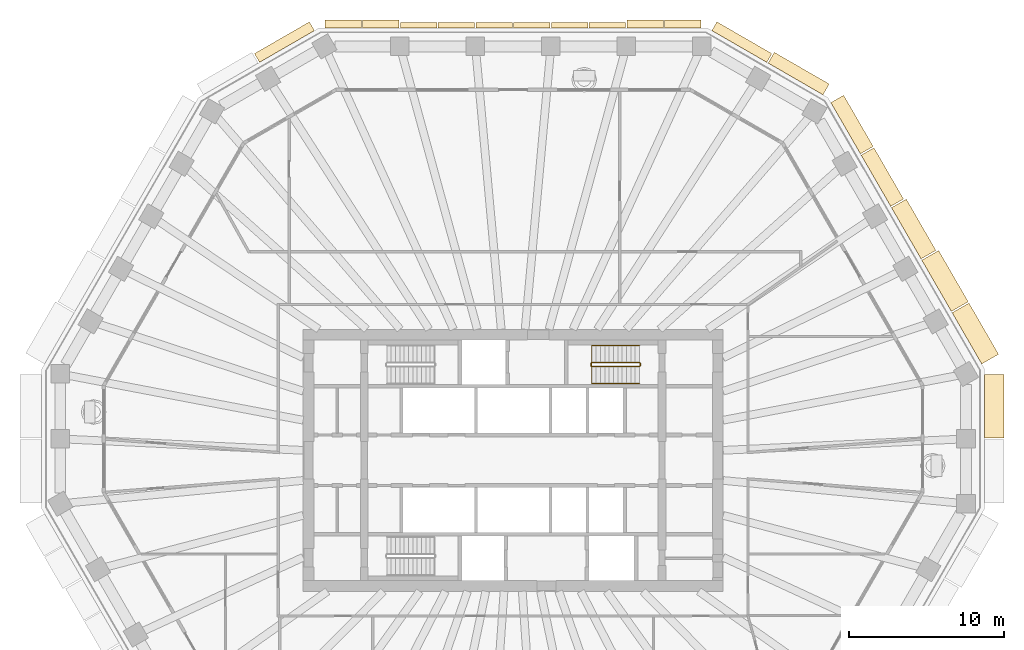
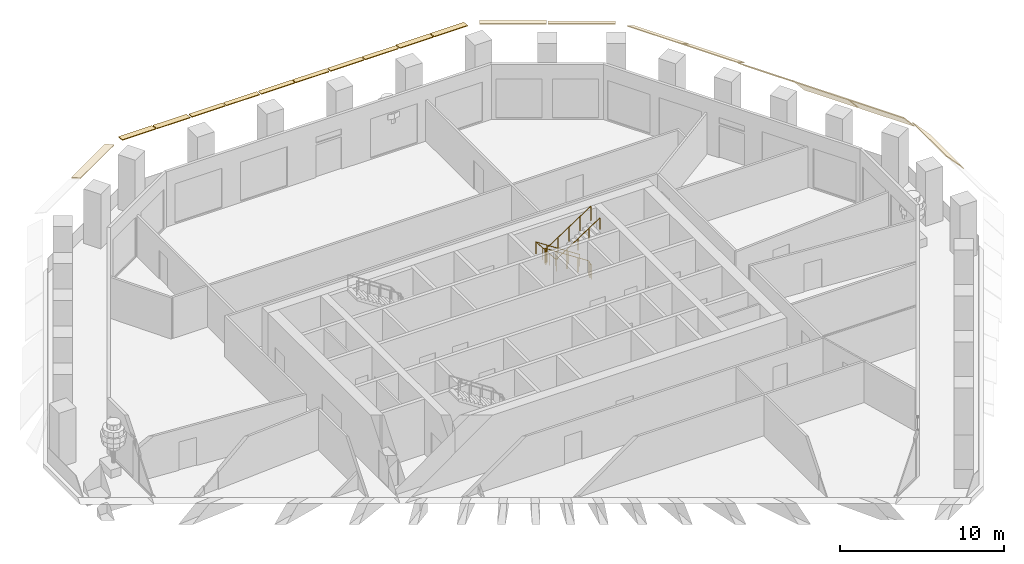
# One storey, part 10 of 12: 19 coverings, 2 railings.
"""IFC4 building model written with IfcOpenShell, lengths in metres."""

import ifcopenshell
import ifcopenshell.guid

model = None  # the IFC model being written
_history = None  # IfcOwnerHistory: only IFC2X3 demands one
_inside = {}  # id of a spatial element -> (the spatial element, [elements in it])
_under = {}  # id of a project, library or spatial element -> (it, [spatial elements below it])
_declared = {}  # id of a project -> (the project, [libraries it declares])
_typed = {}  # id of a type object -> (the type object, [elements of that type])
_made_of = {}  # id of a material, layer set ... -> (it, [elements and type objects made of it])


def new_model(schema):
    """Start an empty IFC model of exactly this schema.

    Asked for "IFC4X3", IfcOpenShell would pick the latest addendum, in which some entities
    have other attributes; the version numbers below select the first issue.
    IFC2X3 requires an IfcOwnerHistory on every rooted entity: one is made here for all.
    """
    global model, _history
    if schema == "IFC4X3":
        model = ifcopenshell.file(schema_version=(4, 3, 0, 0))
    else:
        model = ifcopenshell.file(schema=schema)
    _inside.clear()
    _under.clear()
    _declared.clear()
    _typed.clear()
    _made_of.clear()
    _history = None
    if model.schema == "IFC2X3":
        org = make("IfcOrganization", Name="unknown")
        user = make(
            "IfcPersonAndOrganization",
            ThePerson=make("IfcPerson", FamilyName="unknown"),
            TheOrganization=org,
        )
        app = make(
            "IfcApplication",
            ApplicationDeveloper=org,
            Version="unknown",
            ApplicationFullName="unknown",
            ApplicationIdentifier="unknown",
        )
        _history = make(
            "IfcOwnerHistory",
            OwningUser=user,
            OwningApplication=app,
            ChangeAction="ADDED",
            CreationDate=0,
        )
    return model


def make(cls, **values):
    """One entity of the class cls with the attributes given. An attribute that is None is left unset."""
    return model.create_entity(
        cls, **{name: value for name, value in values.items() if value is not None}
    )


def rooted(cls, **values):
    """An entity with a GlobalId (a new one), such as an element, a storey or a relation."""
    return make(cls, GlobalId=ifcopenshell.guid.new(), OwnerHistory=_history, **values)


def si_unit(unit_type, name, prefix=None):
    """IfcSIUnit, for example si_unit("LENGTHUNIT", "METRE", prefix="MILLI")."""
    return make("IfcSIUnit", UnitType=unit_type, Prefix=prefix, Name=name)


def assignment(units):
    """IfcUnitAssignment: the units of a project."""
    return None if units is None else make("IfcUnitAssignment", Units=units)


def point(xyz):
    """IfcCartesianPoint."""
    return None if xyz is None else make("IfcCartesianPoint", Coordinates=xyz)


def direction(xyz):
    """IfcDirection."""
    return None if xyz is None else make("IfcDirection", DirectionRatios=xyz)


def frame(location, z_axis=None, x_axis=None):
    """IfcAxis2Placement3D, a coordinate frame: its origin and axes. An axis left out is left unset."""
    return make(
        "IfcAxis2Placement3D",
        Location=point(location),
        Axis=direction(z_axis),
        RefDirection=direction(x_axis),
    )


def frame_2d(location, x_axis=None):
    """IfcAxis2Placement2D, a coordinate frame in the plane: its origin and x axis."""
    return make(
        "IfcAxis2Placement2D", Location=point(location), RefDirection=direction(x_axis)
    )


def origin():
    """The frame at (0, 0, 0) with its axes left unset."""
    return frame((0.0, 0.0, 0.0))


def origin_2d():
    """The frame at (0, 0) in the plane with its x axis left unset."""
    return frame_2d((0.0, 0.0))


def place(relative_to, where):
    """IfcLocalPlacement: puts the frame where relative to a parent placement (None: the world)."""
    return make(
        "IfcLocalPlacement", PlacementRelTo=relative_to, RelativePlacement=where
    )


def context(
    kind, dimensions, precision=None, world=None, true_north=None, identifier=None
):
    """IfcGeometricRepresentationContext, for example the 3D "Model" context."""
    return make(
        "IfcGeometricRepresentationContext",
        ContextIdentifier=identifier,
        ContextType=kind,
        CoordinateSpaceDimension=dimensions,
        Precision=precision,
        WorldCoordinateSystem=world,
        TrueNorth=true_north,
    )


def subcontext(parent, identifier, kind, view, scale=None):
    """IfcGeometricRepresentationSubContext, for example "Body" below "Model"."""
    return make(
        "IfcGeometricRepresentationSubContext",
        ContextIdentifier=identifier,
        ContextType=kind,
        ParentContext=parent,
        TargetScale=scale,
        TargetView=view,
    )


def project(units=None, contexts=None):
    """IfcProject with its units and contexts."""
    return rooted(
        "IfcProject",
        Name="project",
        RepresentationContexts=contexts,
        UnitsInContext=assignment(units),
    )


def spatial(cls, under=None, at=None, **own):
    """A site, building, storey or space (cls), placed at a placement, below another one or the project."""
    s = rooted(cls, ObjectPlacement=at, **own)
    if under is not None:
        _under.setdefault(under.id(), (under, []))[1].append(s)
    return s


def polyline(points):
    """IfcPolyline through the points."""
    return make("IfcPolyline", Points=[point(p) for p in points])


def profile(cls, at=None, kind="AREA", **sizes):
    """A parametric profile (cls). Its sizes go by their IFC names, for example OverallWidth=200.0."""
    return make(cls, ProfileType=kind, Position=at, **sizes)


def circle(**sizes):
    """IfcCircleProfileDef."""
    return profile("IfcCircleProfileDef", **sizes)


def outline(outer, holes=None, kind="AREA"):
    """IfcArbitraryClosedProfileDef: a profile drawn as a closed curve; with holes, ...WithVoids."""
    if holes is None:
        return make("IfcArbitraryClosedProfileDef", ProfileType=kind, OuterCurve=outer)
    return make(
        "IfcArbitraryProfileDefWithVoids",
        ProfileType=kind,
        OuterCurve=outer,
        InnerCurves=holes,
    )


def extrude(swept, where, along, depth):
    """IfcExtrudedAreaSolid: the profile swept, set in the frame where, extruded along a direction by depth."""
    return make(
        "IfcExtrudedAreaSolid",
        SweptArea=swept,
        Position=where,
        ExtrudedDirection=direction(along),
        Depth=depth,
    )


def shape(context_of_items, identifier, shape_type, items):
    """IfcShapeRepresentation: the items that make up one representation, for example the "Body"."""
    return make(
        "IfcShapeRepresentation",
        ContextOfItems=context_of_items,
        RepresentationIdentifier=identifier,
        RepresentationType=shape_type,
        Items=items,
    )


def material(Name=None, Category=None):
    """IfcMaterial."""
    return make("IfcMaterial", Name=Name, Category=Category)


def layer(
    of_material, thickness, ventilated=None, Name=None, Category=None, Priority=None
):
    """IfcMaterialLayer: one layer of a wall or slab, of a material (None: an air gap)."""
    return make(
        "IfcMaterialLayer",
        Material=of_material,
        LayerThickness=thickness,
        IsVentilated=ventilated,
        Name=Name,
        Category=Category,
        Priority=Priority,
    )


def layer_set(layers, Name=None):
    """IfcMaterialLayerSet."""
    return make("IfcMaterialLayerSet", MaterialLayers=layers, LayerSetName=Name)


def made_of(thing, what):
    """Note that an element or type object is made of a material, layer set ...; save() writes the relation."""
    if what is not None:
        _made_of.setdefault(what.id(), (what, []))[1].append(thing)
    return thing


def type_object(cls, material=None, **own):
    """A type object (cls), such as IfcWallType, which elements share."""
    return made_of(rooted(cls, **own), material)


def element(
    cls,
    number,
    at=None,
    inside=None,
    cuts=None,
    type_object=None,
    material=None,
    context=None,
    identifier="Body",
    shape_type=None,
    held_by="IfcProductDefinitionShape",
    body=None,
    shapes=None,
    **own,
):
    """One element of the class cls, such as IfcWall. Its Tag is "e" and its number.

    at: its placement. inside: the storey or other place that contains it. cuts: it is an
    opening in that element (IfcRelVoidsElement). A single representation is given by context,
    identifier, shape_type and body (its items); several are given by shapes. held_by: the class
    of the entity that holds the representations. save() writes the other relations.
    """
    e = rooted(cls, Tag="e%d" % number, ObjectPlacement=at, **own)
    if body is not None:
        shapes = [shape(context, identifier, shape_type, body)]
    if shapes is not None:
        e.Representation = make(held_by, Representations=shapes)
    if inside is not None:
        _inside.setdefault(inside.id(), (inside, []))[1].append(e)
    if cuts is not None:
        rooted(
            "IfcRelVoidsElement", RelatingBuildingElement=cuts, RelatedOpeningElement=e
        )
    if type_object is not None:
        _typed.setdefault(type_object.id(), (type_object, []))[1].append(e)
    return made_of(e, material)


def aggregate(whole, parts):
    """IfcRelAggregates: a whole, such as a stair, and the parts it consists of."""
    return rooted("IfcRelAggregates", RelatingObject=whole, RelatedObjects=parts)


def save(model, path):
    """Write the relations noted so far, then the file.

    IfcRelAggregates (storeys below a building ...), IfcRelContainedInSpatialStructure (elements
    in a storey), IfcRelDefinesByType, IfcRelAssociatesMaterial and IfcRelDeclares: one each for
    every whole, place, type object, material and project.
    """
    for whole, parts in _under.values():
        aggregate(whole, parts)
    for where, things in _inside.values():
        rooted(
            "IfcRelContainedInSpatialStructure",
            RelatedElements=things,
            RelatingStructure=where,
        )
    for kind, things in _typed.values():
        rooted("IfcRelDefinesByType", RelatedObjects=things, RelatingType=kind)
    for what, things in _made_of.values():
        rooted("IfcRelAssociatesMaterial", RelatedObjects=things, RelatingMaterial=what)
    for by, libraries in _declared.values():
        rooted("IfcRelDeclares", RelatingContext=by, RelatedDefinitions=libraries)
    model.write(path)


model = new_model("IFC4")

# Units and contexts
model_context = context("Model", 3, precision=1e-05, world=origin(), true_north=direction((0.0, 1.0)))
body_context = subcontext(model_context, "Body", "Model", "MODEL_VIEW")
ifc_project = project(units=[si_unit("LENGTHUNIT", "METRE"), si_unit("AREAUNIT", "SQUARE_METRE"), si_unit("VOLUMEUNIT", "CUBIC_METRE"), si_unit("PLANEANGLEUNIT", "RADIAN"), si_unit("MASSUNIT", "GRAM", prefix="KILO")], contexts=[model_context])

# Site, building, storey
site_placement = place(None, origin())
site = spatial("IfcSite", under=ifc_project, at=site_placement, CompositionType="ELEMENT")
building_placement = place(site_placement, origin())
building = spatial("IfcBuilding", under=site, at=building_placement, Name="Frailejon Research Tower", CompositionType="ELEMENT")
storey_placement = place(building_placement, frame((0.0, 0.0, 193.60009765625)))
storey = spatial("IfcBuildingStorey", under=building, at=storey_placement, Name="L42", CompositionType="ELEMENT", Elevation=193.60009765625)

# Coverings
ifc_material_1 = material(Name="Precast concrete C50/60", Category="concrete")
ifc_layer_1 = layer(ifc_material_1, 0.06005859375)
ifc_layer_set_1 = layer_set([ifc_layer_1], Name="Brim blade depth 1100")
covering_type_1 = type_object("IfcCoveringType", Name="Brim blade depth 1100", PredefinedType="CLADDING", material=ifc_layer_set_1)
covering_1_placement = place(storey_placement, frame((24.406494140625, 16.292236328125, 4.25), z_axis=(0.500001217064, -0.866024701111, 0.0), x_axis=(0.866024701111, 0.500001217064, 0.0)))
element("IfcCovering", 1, at=covering_1_placement, inside=storey, type_object=covering_type_1, Name="Brim blade L42", PredefinedType="CLADDING", context=body_context, shape_type="SweptSolid", body=[
    extrude(outline(polyline([(0.0, -0.078369140625), (1.10009765625, -1.001220703125), (1.10009765625, -0.923095703125), (0.0, 0.0), (0.0, -0.078369140625)])), origin(), (0.0, 0.0, 1.0), 3.8125),
])
ifc_material_2 = material(Name="Precast concrete C50/60", Category="concrete")
ifc_layer_2 = layer(ifc_material_2, 0.06005859375)
ifc_layer_set_2 = layer_set([ifc_layer_2], Name="Brim blade depth 1250")
covering_type_2 = type_object("IfcCoveringType", Name="Brim blade depth 1250", PredefinedType="CLADDING", material=ifc_layer_set_2)
covering_2_placement = place(storey_placement, frame((30.4111328125, 5.520263671875, 4.25), z_axis=(0.0, -1.0, 0.0), x_axis=(1.0, 0.0, 0.0)))
element("IfcCovering", 2, at=covering_2_placement, inside=storey, type_object=covering_type_2, Name="Brim blade L42", PredefinedType="CLADDING", context=body_context, shape_type="SweptSolid", body=[
    extrude(outline(polyline([(0.0, -0.0888671875), (1.25, -1.452880859375), (1.25, -1.364013671875), (0.0, 0.0), (0.0, -0.0888671875)])), origin(), (0.0, 0.0, 1.0), 4.08740234375),
])
covering_3_placement = place(storey_placement, frame((28.319091796875, 9.515380859375, 4.25), z_axis=(0.500001217064, -0.866024701111, 0.0), x_axis=(0.866024701111, 0.500001217064, 0.0)))
element("IfcCovering", 3, at=covering_3_placement, inside=storey, type_object=covering_type_2, Name="Brim blade L42", PredefinedType="CLADDING", context=body_context, shape_type="SweptSolid", body=[
    extrude(outline(polyline([(0.0, -0.0888671875), (1.25, -1.452880859375), (1.25, -1.364013671875), (0.0, 0.0), (0.0, -0.0888671875)])), origin(), (0.0, 0.0, 1.0), 3.8125),
])
covering_4_placement = place(storey_placement, frame((26.36279296875, 12.90380859375, 4.25), z_axis=(0.499990149831, -0.866031090707, 0.0), x_axis=(0.866031090707, 0.499990149831, 0.0)))
element("IfcCovering", 4, at=covering_4_placement, inside=storey, type_object=covering_type_2, Name="Brim blade L42", PredefinedType="CLADDING", context=body_context, shape_type="SweptSolid", body=[
    extrude(outline(polyline([(0.0, -0.0888671875), (1.25, -1.452880859375), (1.25, -1.364013671875), (0.0, 0.0), (0.0, -0.0888671875)])), origin(), (0.0, 0.0, 1.0), 3.812744140625),
])
ifc_material_3 = material(Name="Precast concrete C50/60", Category="concrete")
ifc_layer_3 = layer(ifc_material_3, 0.06005859375)
ifc_layer_set_3 = layer_set([ifc_layer_3], Name="Brim blade depth 350")
covering_type_3 = type_object("IfcCoveringType", Name="Brim blade depth 350", PredefinedType="CLADDING", material=ifc_layer_set_3)
for number, where, z_axis, x_axis, name in (
    (5, (4.900634765625, 27.89990234375, 4.25), (1.0, 0.0, 0.0), (0.0, 1.0, 0.0), "Brim blade L42"),
    (6, (2.4853515625, 27.89990234375, 4.25), (1.0, 0.0, 0.0), (0.0, 1.0, 0.0), "Brim blade L42"),
    (7, (0.030029296875, 27.89990234375, 4.25), (1.0, 0.0, 0.0), (0.0, 1.0, 0.0), "Brim blade L42"),
    (8, (-2.38525390625, 27.89990234375, 4.25), (1.0, 0.0, 0.0), (0.0, 1.0, 0.0), "Brim blade L42"),
    (9, (-4.840576171875, 27.89990234375, 4.25), (1.0, 0.0, 0.0), (0.0, 1.0, 0.0), "Brim blade L42"),
    (10, (-7.255859375, 27.89990234375, 4.25), (1.0, 0.0, 0.0), (0.0, 1.0, 0.0), "Brim blade L42"),
):
    element("IfcCovering", number, at=place(storey_placement, frame(where, z_axis=z_axis, x_axis=x_axis)), inside=storey, type_object=covering_type_3, Name=name, PredefinedType="CLADDING", context=body_context, shape_type="SweptSolid", body=[
        extrude(outline(polyline([(0.0, -0.06005859375), (0.35009765625, -0.06005859375), (0.35009765625, 0.0), (0.0, 0.0), (0.0, -0.06005859375)])), origin(), (0.0, 0.0, 1.0), 2.355224609375),
    ])
ifc_material_4 = material(Name="Precast concrete C50/60", Category="concrete")
ifc_layer_4 = layer(ifc_material_4, 0.06005859375)
ifc_layer_set_4 = layer_set([ifc_layer_4], Name="Brim blade depth 500")
covering_type_4 = type_object("IfcCoveringType", Name="Brim blade depth 500", PredefinedType="CLADDING", material=ifc_layer_set_4)
for number, where, z_axis, x_axis, name in (
    (11, (9.771240234375, 27.89990234375, 4.25), (1.0, 0.0, 0.0), (0.0, 1.0, 0.0), "Brim blade L42"),
    (12, (7.35595703125, 27.89990234375, 4.25), (1.0, 0.0, 0.0), (0.0, 1.0, 0.0), "Brim blade L42"),
    (13, (-9.711181640625, 27.89990234375, 4.25), (1.0, 0.0, 0.0), (0.0, 1.0, 0.0), "Brim blade L42"),
    (14, (-12.12646484375, 27.89990234375, 4.25), (1.0, 0.0, 0.0), (0.0, 1.0, 0.0), "Brim blade L42"),
):
    element("IfcCovering", number, at=place(storey_placement, frame(where, z_axis=z_axis, x_axis=x_axis)), inside=storey, type_object=covering_type_4, Name=name, PredefinedType="CLADDING", context=body_context, shape_type="SweptSolid", body=[
        extrude(outline(polyline([(0.0, -0.060546875), (0.5, -0.130859375), (0.5, -0.0703125), (0.0, 0.0), (0.0, -0.060546875)])), origin(), (0.0, 0.0, 1.0), 2.355224609375),
    ])
ifc_material_5 = material(Name="Precast concrete C50/60", Category="concrete")
ifc_layer_5 = layer(ifc_material_5, 0.06005859375)
ifc_layer_set_5 = layer_set([ifc_layer_5], Name="Brim blade depth 650")
covering_type_5 = type_object("IfcCoveringType", Name="Brim blade depth 650", PredefinedType="CLADDING", material=ifc_layer_set_5)
for number, where, z_axis, x_axis, name in (
    (15, (12.81982421875, 27.714111328125, 4.25), (0.866027315287, -0.499996689166, 0.0), (0.499996689166, 0.866027315287, 0.0), "Brim blade L42"),
    (16, (-16.35986328125, 25.67041015625, 4.25), (0.866027315287, 0.499996689166, 0.0), (-0.499996689166, 0.866027315287, 0.0), "Brim blade L42"),
):
    element("IfcCovering", number, at=place(storey_placement, frame(where, z_axis=z_axis, x_axis=x_axis)), inside=storey, type_object=covering_type_5, Name=name, PredefinedType="CLADDING", context=body_context, shape_type="SweptSolid", body=[
        extrude(outline(polyline([(0.0, -0.0625), (0.64990234375, -0.248779296875), (0.64990234375, -0.186279296875), (0.0, 0.0), (0.0, -0.0625)])), origin(), (0.0, 0.0, 1.0), 4.087646484375),
    ])
ifc_material_6 = material(Name="Precast concrete C50/60", Category="concrete")
ifc_layer_6 = layer(ifc_material_6, 0.06005859375)
ifc_layer_set_6 = layer_set([ifc_layer_6], Name="Brim blade depth 800")
covering_type_6 = type_object("IfcCoveringType", Name="Brim blade depth 800", PredefinedType="CLADDING", material=ifc_layer_set_6)
covering_5_placement = place(storey_placement, frame((16.4462890625, 25.620361328125, 4.25), z_axis=(0.866021344981, -0.500007029989, 0.0), x_axis=(0.500007029989, 0.866021344981, 0.0)))
element("IfcCovering", 17, at=covering_5_placement, inside=storey, type_object=covering_type_6, Name="Brim blade L42", PredefinedType="CLADDING", context=body_context, shape_type="SweptSolid", body=[
    extrude(outline(polyline([(0.0, -0.065673828125), (0.800048828125, -0.421875), (0.800048828125, -0.356201171875), (0.0, 0.0), (0.0, -0.065673828125)])), origin(), (0.0, 0.0, 1.0), 4.08740234375),
])
ifc_material_7 = material(Name="Precast concrete C50/60", Category="concrete")
ifc_layer_7 = layer(ifc_material_7, 0.06005859375)
ifc_layer_set_7 = layer_set([ifc_layer_7], Name="Brim blade depth 950")
covering_type_7 = type_object("IfcCoveringType", Name="Brim blade depth 950", PredefinedType="CLADDING", material=ifc_layer_set_7)
for number, where, z_axis, x_axis, name in (
    (18, (22.4501953125, 19.6806640625, 4.25), (0.500001217064, -0.866024701111, 0.0), (0.866024701111, 0.500001217064, 0.0), "Brim blade L42"),
    (19, (20.493896484375, 23.069091796875, 4.25), (0.500001217064, -0.866024701111, 0.0), (0.866024701111, 0.500001217064, 0.0), "Brim blade L42"),
):
    element("IfcCovering", number, at=place(storey_placement, frame(where, z_axis=z_axis, x_axis=x_axis)), inside=storey, type_object=covering_type_7, Name=name, PredefinedType="CLADDING", context=body_context, shape_type="SweptSolid", body=[
        extrude(outline(polyline([(0.0, -0.07080078125), (0.949951171875, -0.664306640625), (0.949951171875, -0.593505859375), (0.0, 0.0), (0.0, -0.07080078125)])), origin(), (0.0, 0.0, 1.0), 3.8125),
    ])

# Railings
ifc_material_8 = material(Name="Stainless steel", Category="steel")
railing_type_1 = type_object("IfcRailingType", Name="Stair guard 1100", PredefinedType="GUARDRAIL", material=ifc_material_8)
railing_1_placement = place(storey_placement, frame((8.199951171875, 6.10009765625, 0.0)))
element("IfcRailing", 20, at=railing_1_placement, inside=storey, type_object=railing_type_1, Name="L42 ST3 stair guard 1", PredefinedType="GUARDRAIL", context=body_context, shape_type="SweptSolid", body=[
    extrude(circle(Radius=0.02392578125, at=origin_2d()), frame((0.0, 0.0, 1.076171875), z_axis=(0.0, 1.0, 0.0), x_axis=(-1.0, 0.0, 0.0)), (0.0, 0.0, 1.0), 0.14990234375),
    extrude(circle(Radius=0.02392578125, at=origin_2d()), frame((0.0, 0.14990234375, 1.076171875), z_axis=(-0.254653276557, 0.254653276557, 0.932900539971), x_axis=(-0.707106781187, -0.707106781187, 0.0)), (0.0, 0.0, 1.0), 0.196533203125),
    extrude(circle(Radius=0.02392578125, at=origin_2d()), frame((-0.050048828125, 0.199951171875, 1.25927734375), z_axis=(-0.836613101238, 0.0, 0.547794230379), x_axis=(0.0, -1.0, 0.0)), (0.0, 0.0, 1.0), 3.681396484375),
    extrude(circle(Radius=0.02392578125, at=origin_2d()), frame((-3.1298828125, 0.199951171875, 3.27587890625), z_axis=(-0.707106781187, -0.707106781187, 0.0), x_axis=(0.707106781187, -0.707106781187, 0.0)), (0.0, 0.0, 1.0), 0.07080078125),
    extrude(circle(Radius=0.02392578125, at=origin_2d()), frame((-3.179931640625, 0.14990234375, 3.27587890625), z_axis=(0.0, -1.0, 0.0), x_axis=(1.0, 0.0, 0.0)), (0.0, 0.0, 1.0), 0.14990234375),
    extrude(circle(Radius=0.02392578125, at=origin_2d()), frame((-3.179931640625, 0.0, 3.27587890625), z_axis=(0.254653276557, -0.254653276557, 0.932900539971), x_axis=(0.707106781187, 0.707106781187, 0.0)), (0.0, 0.0, 1.0), 0.196533203125),
    extrude(circle(Radius=0.02392578125, at=origin_2d()), frame((-3.1298828125, -0.050048828125, 3.45947265625), z_axis=(0.836613101238, 0.0, 0.547794230379), x_axis=(0.0, 1.0, 0.0)), (0.0, 0.0, 1.0), 3.681396484375),
    extrude(circle(Radius=0.02099609375, at=origin_2d()), origin(), (0.0, 0.0, 1.0), 1.052001953125),
    extrude(circle(Radius=0.02099609375, at=origin_2d()), frame((0.0, 0.14990234375, 0.0)), (0.0, 0.0, 1.0), 1.052001953125),
    extrude(circle(Radius=0.02099609375, at=origin_2d()), frame((-0.050048828125, 0.199951171875, 0.183349609375)), (0.0, 0.0, 1.0), 1.052001953125),
    extrude(circle(Radius=0.02099609375, at=origin_2d()), frame((-0.820068359375, 0.199951171875, 0.6875)), (0.0, 0.0, 1.0), 1.052001953125),
    extrude(circle(Radius=0.02099609375, at=origin_2d()), frame((-1.58984375, 0.199951171875, 1.191650390625)), (0.0, 0.0, 1.0), 1.052001953125),
    extrude(circle(Radius=0.02099609375, at=origin_2d()), frame((-2.35986328125, 0.199951171875, 1.69580078125)), (0.0, 0.0, 1.0), 1.052001953125),
    extrude(circle(Radius=0.02099609375, at=origin_2d()), frame((-3.1298828125, 0.199951171875, 2.199951171875)), (0.0, 0.0, 1.0), 1.052001953125),
    extrude(circle(Radius=0.02099609375, at=origin_2d()), frame((-3.179931640625, 0.14990234375, 2.199951171875)), (0.0, 0.0, 1.0), 1.052001953125),
    extrude(circle(Radius=0.02099609375, at=origin_2d()), frame((-3.179931640625, 0.0, 2.199951171875)), (0.0, 0.0, 1.0), 1.052001953125),
    extrude(circle(Radius=0.02099609375, at=origin_2d()), frame((-3.1298828125, -0.050048828125, 2.38330078125)), (0.0, 0.0, 1.0), 1.052001953125),
    extrude(circle(Radius=0.02099609375, at=origin_2d()), frame((-2.35986328125, -0.050048828125, 2.887451171875)), (0.0, 0.0, 1.0), 1.052001953125),
    extrude(circle(Radius=0.02099609375, at=origin_2d()), frame((-1.58984375, -0.050048828125, 3.3916015625)), (0.0, 0.0, 1.0), 1.052001953125),
    extrude(circle(Radius=0.02099609375, at=origin_2d()), frame((-0.820068359375, -0.050048828125, 3.895751953125)), (0.0, 0.0, 1.0), 1.052001953125),
    extrude(circle(Radius=0.02099609375, at=origin_2d()), frame((-0.050048828125, -0.050048828125, 4.39990234375)), (0.0, 0.0, 1.0), 1.052001953125),
])
ifc_material_9 = material(Name="Stainless steel", Category="steel")
railing_type_2 = type_object("IfcRailingType", Name="Stair handrail 900", PredefinedType="HANDRAIL", material=ifc_material_9)
railing_2_placement = place(storey_placement, frame((8.14990234375, 7.39990234375, 0.183349609375)))
element("IfcRailing", 21, at=railing_2_placement, inside=storey, type_object=railing_type_2, Name="L42 ST3 stair handrail 1", PredefinedType="HANDRAIL", context=body_context, shape_type="SweptSolid", body=[
    extrude(circle(Radius=0.02392578125, at=origin_2d()), frame((0.0, 0.0, 0.8759765625), z_axis=(-0.836613101238, 0.0, 0.547794230379), x_axis=(0.0, -1.0, 0.0)), (0.0, 0.0, 1.0), 3.681396484375),
    extrude(circle(Radius=0.02392578125, at=origin_2d()), frame((-3.079833984375, 0.0, 2.892578125), z_axis=(0.0, -0.99721134034, 0.074629368868), x_axis=(1.0, 0.0, 0.0)), (0.0, 0.0, 1.0), 2.456787109375),
    extrude(circle(Radius=0.02392578125, at=origin_2d()), frame((-3.079833984375, -2.449951171875, 3.07568359375), z_axis=(0.836613101238, 0.0, 0.547794230379), x_axis=(0.0, 1.0, 0.0)), (0.0, 0.0, 1.0), 3.681396484375),
    extrude(circle(Radius=0.02099609375, at=origin_2d()), origin(), (0.0, 0.0, 1.0), 0.851806640625),
    extrude(circle(Radius=0.02099609375, at=origin_2d()), frame((-0.77001953125, 0.0, 0.504150390625)), (0.0, 0.0, 1.0), 0.851806640625),
    extrude(circle(Radius=0.02099609375, at=origin_2d()), frame((-1.5400390625, 0.0, 1.00830078125)), (0.0, 0.0, 1.0), 0.851806640625),
    extrude(circle(Radius=0.02099609375, at=origin_2d()), frame((-2.309814453125, 0.0, 1.512451171875)), (0.0, 0.0, 1.0), 0.851806640625),
    extrude(circle(Radius=0.02099609375, at=origin_2d()), frame((-3.079833984375, 0.0, 2.0166015625)), (0.0, 0.0, 1.0), 0.851806640625),
    extrude(circle(Radius=0.02099609375, at=origin_2d()), frame((-3.079833984375, -0.816650390625, 2.07763671875)), (0.0, 0.0, 1.0), 0.851806640625),
    extrude(circle(Radius=0.02099609375, at=origin_2d()), frame((-3.079833984375, -1.63330078125, 2.138916015625)), (0.0, 0.0, 1.0), 0.851806640625),
    extrude(circle(Radius=0.02099609375, at=origin_2d()), frame((-3.079833984375, -2.449951171875, 2.199951171875)), (0.0, 0.0, 1.0), 0.851806640625),
    extrude(circle(Radius=0.02099609375, at=origin_2d()), frame((-2.309814453125, -2.449951171875, 2.7041015625)), (0.0, 0.0, 1.0), 0.851806640625),
    extrude(circle(Radius=0.02099609375, at=origin_2d()), frame((-1.5400390625, -2.449951171875, 3.208251953125)), (0.0, 0.0, 1.0), 0.851806640625),
    extrude(circle(Radius=0.02099609375, at=origin_2d()), frame((-0.77001953125, -2.449951171875, 3.71240234375)), (0.0, 0.0, 1.0), 0.851806640625),
    extrude(circle(Radius=0.02099609375, at=origin_2d()), frame((0.0, -2.449951171875, 4.216552734375)), (0.0, 0.0, 1.0), 0.851806640625),
])

save(model, "model.ifc")
